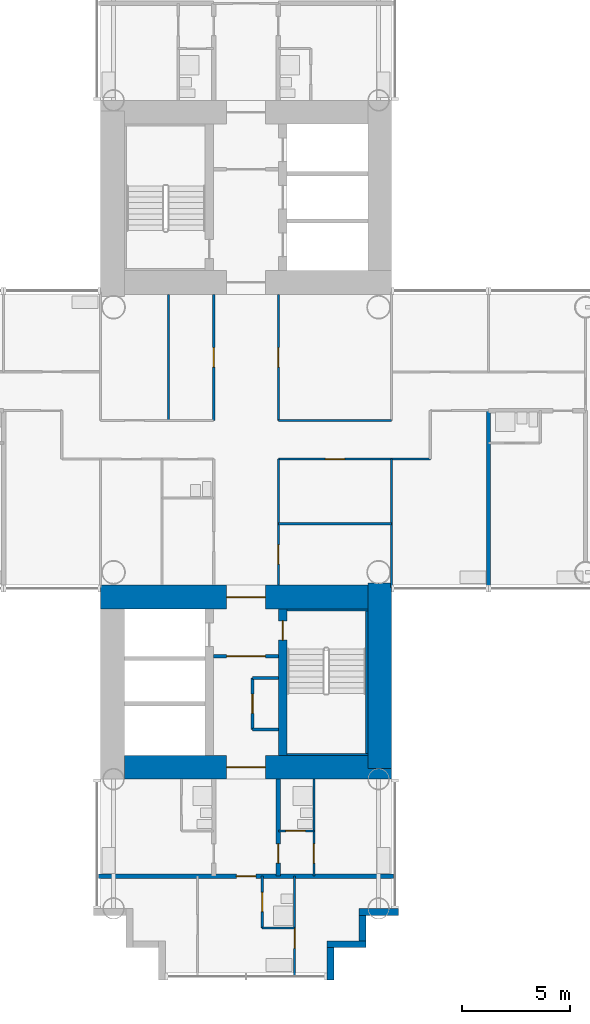
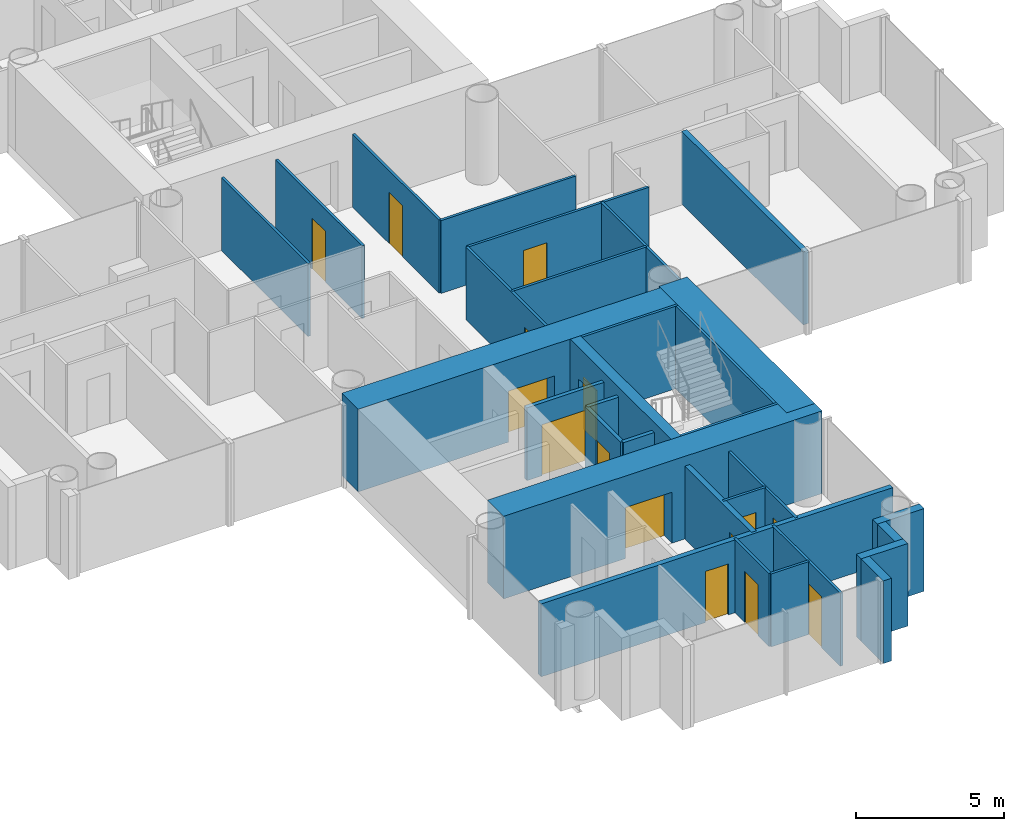
# One storey, part 13 of 21: 31 walls, 15 doors, 15 openings.
"""IFC4 building model written with IfcOpenShell, lengths in metres."""

from ifc_helpers import new_model, si_unit, direction, frame, frame_2d, origin, place, context, subcontext, project, spatial, rectangle, extrude, material, layer, layer_set, type_object, element, fill, save


model = new_model("IFC4")

# Units and contexts
model_context = context("Model", 3, precision=1e-05, world=origin(), true_north=direction((0.0, 1.0)))
body_context = subcontext(model_context, "Body", "Model", "MODEL_VIEW")
ifc_project = project(units=[si_unit("LENGTHUNIT", "METRE"), si_unit("AREAUNIT", "SQUARE_METRE"), si_unit("VOLUMEUNIT", "CUBIC_METRE"), si_unit("PLANEANGLEUNIT", "RADIAN"), si_unit("MASSUNIT", "GRAM", prefix="KILO")], contexts=[model_context])

# Site, building, storey
site_placement = place(None, origin())
site = spatial("IfcSite", under=ifc_project, at=site_placement, CompositionType="ELEMENT")
building_placement = place(site_placement, origin())
building = spatial("IfcBuilding", under=site, at=building_placement, Name="Ipe Terrace Towers", CompositionType="ELEMENT")
storey_placement = place(building_placement, frame((0.0, 0.0, 48.300048828125)))
storey = spatial("IfcBuildingStorey", under=building, at=storey_placement, Name="L12", CompositionType="ELEMENT", Elevation=48.300048828125)

# Walls
ifc_material_1 = material(Name="Concrete C40/50 with buff precast cladding", Category="concrete")
ifc_layer_1 = layer(ifc_material_1, 0.320068359375)
ifc_layer_set_1 = layer_set([ifc_layer_1], Name="BUFF CLADDING WALL 320")
wall_type_1 = type_object("IfcWallType", Name="BUFF CLADDING WALL 320", PredefinedType="STANDARD", material=ifc_layer_set_1)
wall_1_placement = place(storey_placement, frame((39.909912109375, -25.070068359375, -0.300048828125), z_axis=(0.0, 0.0, 1.0), x_axis=(0.0, 1.0, 0.0)))
element("IfcWall", 1, at=wall_1_placement, inside=storey, type_object=wall_type_1, Name="T2-W-L12-00a wall", PredefinedType="STANDARD", context=body_context, shape_type="SweptSolid", body=[
    extrude(rectangle(XDim=1.5, YDim=0.320068359375, at=frame_2d((0.75, 0.0))), origin(), (0.0, 0.0, 1.0), 3.39990234375),
])
wall_2_placement = place(storey_placement, frame((39.75, -23.409912109375, -0.300048828125), z_axis=(0.0, 0.0, 1.0), x_axis=(1.0, 0.0, 0.0)))
element("IfcWall", 2, at=wall_2_placement, inside=storey, type_object=wall_type_1, Name="T2-W-L12-01a wall", PredefinedType="STANDARD", context=body_context, shape_type="SweptSolid", body=[
    extrude(rectangle(XDim=1.820068359375, YDim=0.320068359375, at=frame_2d((0.91015625, 0.0))), origin(), (0.0, 0.0, 1.0), 3.39990234375),
])
wall_3_placement = place(storey_placement, frame((41.409912109375, -23.25, -0.300048828125), z_axis=(0.0, 0.0, 1.0), x_axis=(0.0, 1.0, 0.0)))
element("IfcWall", 3, at=wall_3_placement, inside=storey, type_object=wall_type_1, Name="T2-W-L12-02a wall", PredefinedType="STANDARD", context=body_context, shape_type="SweptSolid", body=[
    extrude(rectangle(XDim=1.179931640625, YDim=0.320068359375, at=frame_2d((0.58984375, 0.0))), origin(), (0.0, 0.0, 1.0), 3.39990234375),
])
wall_4_placement = place(storey_placement, frame((41.25, -21.909912109375, -0.300048828125), z_axis=(0.0, 0.0, 1.0), x_axis=(1.0, 0.0, 0.0)))
element("IfcWall", 4, at=wall_4_placement, inside=storey, type_object=wall_type_1, Name="T2-W-L12-03a wall", PredefinedType="STANDARD", context=body_context, shape_type="SweptSolid", body=[
    extrude(rectangle(XDim=1.820068359375, YDim=0.320068359375, at=frame_2d((0.91015625, 0.0))), origin(), (0.0, 0.0, 1.0), 3.39990234375),
])
ifc_material_2 = material(Name="Gypsum board partition", Category="plasterboard")
ifc_layer_2 = layer(ifc_material_2, 0.10009765625)
ifc_layer_set_2 = layer_set([ifc_layer_2], Name="Gypsum board partition 100 mm")
wall_type_2 = type_object("IfcWallType", Name="Gypsum board partition 100 mm", PredefinedType="PARTITIONING", material=ifc_layer_set_2)
wall_5_placement = place(storey_placement, frame((38.25, -22.64990234375, 0.0), z_axis=(0.0, 0.0, 1.0), x_axis=(-1.0, 0.0, 0.0)))
element("IfcWall", 5, at=wall_5_placement, inside=storey, type_object=wall_type_2, Name="Gypsum board partition T2 L12 W01", PredefinedType="PARTITIONING", context=body_context, shape_type="SweptSolid", body=[
    extrude(rectangle(XDim=1.5, YDim=0.10009765625, at=frame_2d((0.75, 0.0))), origin(), (0.0, 0.0, 1.0), 3.0),
])

# Wall, opening, door
wall_6_placement = place(storey_placement, frame((39.14990234375, -18.14990234375, 0.0), z_axis=(0.0, 0.0, 1.0), x_axis=(-1.0, 0.0, 0.0)))
wall_6 = element("IfcWall", 6, at=wall_6_placement, inside=storey, type_object=wall_type_2, Name="Gypsum board partition T2 L12 W03", PredefinedType="PARTITIONING", context=body_context, shape_type="SweptSolid", body=[
    extrude(rectangle(XDim=1.64990234375, YDim=0.10009765625, at=frame_2d((0.824951171875, 0.0))), origin(), (0.0, 0.0, 1.0), 3.0),
])
opening_1_placement = place(wall_6_placement, frame((0.39990234375, 0.0, 0.0)))
opening_1 = element("IfcOpeningElement", 7, at=opening_1_placement, cuts=wall_6, Name="Opening T2-Z1C-29", PredefinedType="OPENING", context=body_context, shape_type="SweptSolid", body=[
    extrude(rectangle(XDim=0.89990234375, YDim=2.10009765625, at=frame_2d((0.449951171875, 1.050048828125))), frame((0.0, 0.06005859375, 0.0), z_axis=(0.0, -1.0, 0.0), x_axis=(1.0, 0.0, 0.0)), (0.0, 0.0, 1.0), 0.1201171875),
])
ifc_material_3 = material(Name="Timber door leaf", Category="wood")
door_type_1 = type_object("IfcDoorType", Name="Bathroom door 900 x 2100", OperationType="NOTDEFINED", PredefinedType="DOOR", material=ifc_material_3)
door_1_placement = place(opening_1_placement, origin())
door_1 = element("IfcDoor", 8, at=door_1_placement, inside=storey, type_object=door_type_1, Name="Bathroom door T2-Z1C-29", OperationType="SINGLE_SWING_RIGHT", OverallHeight=2.10009765625, OverallWidth=0.89990234375, PredefinedType="DOOR", context=body_context, shape_type="SweptSolid", body=[
    extrude(rectangle(XDim=0.89990234375, YDim=2.10009765625, at=frame_2d((0.449951171875, 1.050048828125))), frame((0.0, 0.02490234375, 0.0), z_axis=(0.0, -1.0, 0.0), x_axis=(1.0, 0.0, 0.0)), (0.0, 0.0, 1.0), 0.050048828125),
])
fill(opening_1, door_1)

# Wall
wall_7_placement = place(storey_placement, frame((42.75, -3.89990234375, 0.0), z_axis=(0.0, 0.0, 1.0), x_axis=(-1.0, 0.0, 0.0)))
element("IfcWall", 9, at=wall_7_placement, inside=storey, type_object=wall_type_2, Name="Gypsum board partition T2 L12 W05", PredefinedType="PARTITIONING", context=body_context, shape_type="SweptSolid", body=[
    extrude(rectangle(XDim=5.25, YDim=0.10009765625, at=frame_2d((2.625, 0.0))), origin(), (0.0, 0.0, 1.0), 3.0),
])

# Wall, opening, door
wall_8_placement = place(storey_placement, frame((44.550048828125, -0.89990234375, 0.0), z_axis=(0.0, 0.0, 1.0), x_axis=(-1.0, 0.0, 0.0)))
wall_8 = element("IfcWall", 10, at=wall_8_placement, inside=storey, type_object=wall_type_2, Name="Gypsum board partition T2 L12 W07", PredefinedType="PARTITIONING", context=body_context, shape_type="SweptSolid", body=[
    extrude(rectangle(XDim=7.050048828125, YDim=0.10009765625, at=frame_2d((3.52490234375, 0.0))), origin(), (0.0, 0.0, 1.0), 3.0),
])
opening_2_placement = place(wall_8_placement, frame((3.97509765625, 0.0, 0.0)))
opening_2 = element("IfcOpeningElement", 11, at=opening_2_placement, cuts=wall_8, Name="Opening T2-Z1C-06", PredefinedType="OPENING", context=body_context, shape_type="SweptSolid", body=[
    extrude(rectangle(XDim=0.89990234375, YDim=2.10009765625, at=frame_2d((0.449951171875, 1.050048828125))), frame((0.0, 0.06005859375, 0.0), z_axis=(0.0, -1.0, 0.0), x_axis=(1.0, 0.0, 0.0)), (0.0, 0.0, 1.0), 0.1201171875),
])
ifc_material_4 = material(Name="Timber door leaf", Category="wood")
door_type_2 = type_object("IfcDoorType", Name="Lounge door 900 x 2100", OperationType="NOTDEFINED", PredefinedType="DOOR", material=ifc_material_4)
door_2_placement = place(opening_2_placement, origin())
door_2 = element("IfcDoor", 12, at=door_2_placement, inside=storey, type_object=door_type_2, Name="Lounge door T2-Z1C-06", OperationType="SINGLE_SWING_LEFT", OverallHeight=2.10009765625, OverallWidth=0.89990234375, PredefinedType="DOOR", context=body_context, shape_type="SweptSolid", body=[
    extrude(rectangle(XDim=0.89990234375, YDim=2.10009765625, at=frame_2d((0.449951171875, 1.050048828125))), frame((0.0, 0.02490234375, 0.0), z_axis=(0.0, -1.0, 0.0), x_axis=(1.0, 0.0, 0.0)), (0.0, 0.0, 1.0), 0.050048828125),
])
fill(opening_2, door_2)

# Walls
wall_9_placement = place(storey_placement, frame((42.75, 0.89990234375, 0.0), z_axis=(0.0, 0.0, 1.0), x_axis=(-1.0, 0.0, 0.0)))
element("IfcWall", 13, at=wall_9_placement, inside=storey, type_object=wall_type_2, Name="Gypsum board partition T2 L12 W11", PredefinedType="PARTITIONING", context=body_context, shape_type="SweptSolid", body=[
    extrude(rectangle(XDim=5.25, YDim=0.10009765625, at=frame_2d((2.625, 0.0))), origin(), (0.0, 0.0, 1.0), 3.0),
])
wall_10_placement = place(storey_placement, frame((42.75, -6.85009765625, 0.0), z_axis=(0.0, 0.0, 1.0), x_axis=(0.0, 1.0, 0.0)))
element("IfcWall", 14, at=wall_10_placement, inside=storey, type_object=wall_type_2, Name="Gypsum board partition T2 L12 W30", PredefinedType="PARTITIONING", context=body_context, shape_type="SweptSolid", body=[
    extrude(rectangle(XDim=5.9501953125, YDim=0.10009765625, at=frame_2d((2.97509765625, 0.0))), origin(), (0.0, 0.0, 1.0), 3.0),
])

# Wall, opening, door
wall_11_placement = place(storey_placement, frame((39.14990234375, -20.25, 0.0), z_axis=(0.0, 0.0, 1.0), x_axis=(0.0, 1.0, 0.0)))
wall_11 = element("IfcWall", 15, at=wall_11_placement, inside=storey, type_object=wall_type_2, Name="Gypsum board partition T2 L12 W32", PredefinedType="PARTITIONING", context=body_context, shape_type="SweptSolid", body=[
    extrude(rectangle(XDim=4.5, YDim=0.10009765625, at=frame_2d((2.25, 0.0))), origin(), (0.0, 0.0, 1.0), 3.0),
])
opening_3_placement = place(wall_11_placement, frame((0.60009765625, 0.0, 0.0)))
opening_3 = element("IfcOpeningElement", 16, at=opening_3_placement, cuts=wall_11, Name="Opening T2-Z1C-28", PredefinedType="OPENING", context=body_context, shape_type="SweptSolid", body=[
    extrude(rectangle(XDim=0.89990234375, YDim=2.10009765625, at=frame_2d((0.449951171875, 1.050048828125))), frame((0.0, 0.06005859375, 0.0), z_axis=(0.0, -1.0, 0.0), x_axis=(1.0, 0.0, 0.0)), (0.0, 0.0, 1.0), 0.1201171875),
])
ifc_material_5 = material(Name="Timber door leaf", Category="wood")
door_type_3 = type_object("IfcDoorType", Name="Bedroom door 900 x 2100", OperationType="NOTDEFINED", PredefinedType="DOOR", material=ifc_material_5)
door_3_placement = place(opening_3_placement, origin())
door_3 = element("IfcDoor", 17, at=door_3_placement, inside=storey, type_object=door_type_3, Name="Bedroom door T2-Z1C-28", OperationType="SINGLE_SWING_LEFT", OverallHeight=2.10009765625, OverallWidth=0.89990234375, PredefinedType="DOOR", context=body_context, shape_type="SweptSolid", body=[
    extrude(rectangle(XDim=0.89990234375, YDim=2.10009765625, at=frame_2d((0.449951171875, 1.050048828125))), frame((0.0, 0.02490234375, 0.0), z_axis=(0.0, -1.0, 0.0), x_axis=(1.0, 0.0, 0.0)), (0.0, 0.0, 1.0), 0.050048828125),
])
fill(opening_3, door_3)

wall_12_placement = place(storey_placement, frame((38.25, -24.85009765625, 0.0), z_axis=(0.0, 0.0, 1.0), x_axis=(0.0, 1.0, 0.0)))
wall_12 = element("IfcWall", 18, at=wall_12_placement, inside=storey, type_object=wall_type_2, Name="Gypsum board partition T2 L12 W34", PredefinedType="PARTITIONING", context=body_context, shape_type="SweptSolid", body=[
    extrude(rectangle(XDim=4.60009765625, YDim=0.10009765625, at=frame_2d((2.300048828125, 0.0))), origin(), (0.0, 0.0, 1.0), 3.0),
])
opening_4_placement = place(wall_12_placement, frame((1.25, 0.0, 0.0)))
opening_4 = element("IfcOpeningElement", 19, at=opening_4_placement, cuts=wall_12, Name="Opening T2-Z1C-34", PredefinedType="OPENING", context=body_context, shape_type="SweptSolid", body=[
    extrude(rectangle(XDim=0.89990234375, YDim=2.10009765625, at=frame_2d((0.449951171875, 1.050048828125))), frame((0.0, 0.06005859375, 0.0), z_axis=(0.0, -1.0, 0.0), x_axis=(1.0, 0.0, 0.0)), (0.0, 0.0, 1.0), 0.1201171875),
])
door_4_placement = place(opening_4_placement, origin())
door_4 = element("IfcDoor", 20, at=door_4_placement, inside=storey, type_object=door_type_2, Name="Lounge door T2-Z1C-34", OperationType="SINGLE_SWING_LEFT", OverallHeight=2.10009765625, OverallWidth=0.89990234375, PredefinedType="DOOR", context=body_context, shape_type="SweptSolid", body=[
    extrude(rectangle(XDim=0.89990234375, YDim=2.10009765625, at=frame_2d((0.449951171875, 1.050048828125))), frame((0.0, 0.02490234375, 0.0), z_axis=(0.0, -1.0, 0.0), x_axis=(1.0, 0.0, 0.0)), (0.0, 0.0, 1.0), 0.050048828125),
])
fill(opening_4, door_4)

wall_13_placement = place(storey_placement, frame((37.5, -6.75, 0.0), z_axis=(0.0, 0.0, 1.0), x_axis=(0.0, 1.0, 0.0)))
wall_13 = element("IfcWall", 21, at=wall_13_placement, inside=storey, type_object=wall_type_2, Name="Gypsum board partition T2 L12 W35", PredefinedType="PARTITIONING", context=body_context, shape_type="SweptSolid", body=[
    extrude(rectangle(XDim=5.85009765625, YDim=0.10009765625, at=frame_2d((2.925048828125, 0.0))), origin(), (0.0, 0.0, 1.0), 3.0),
])
opening_5_placement = place(wall_13_placement, frame((0.97509765625, 0.0, 0.0)))
opening_5 = element("IfcOpeningElement", 22, at=opening_5_placement, cuts=wall_13, Name="Opening T2-Z1C-07", PredefinedType="OPENING", context=body_context, shape_type="SweptSolid", body=[
    extrude(rectangle(XDim=0.89990234375, YDim=2.10009765625, at=frame_2d((0.449951171875, 1.050048828125))), frame((0.0, 0.06005859375, 0.0), z_axis=(0.0, -1.0, 0.0), x_axis=(1.0, 0.0, 0.0)), (0.0, 0.0, 1.0), 0.1201171875),
])
door_5_placement = place(opening_5_placement, origin())
door_5 = element("IfcDoor", 23, at=door_5_placement, inside=storey, type_object=door_type_2, Name="Lounge door T2-Z1C-07", OperationType="SINGLE_SWING_LEFT", OverallHeight=2.10009765625, OverallWidth=0.89990234375, PredefinedType="DOOR", context=body_context, shape_type="SweptSolid", body=[
    extrude(rectangle(XDim=0.89990234375, YDim=2.10009765625, at=frame_2d((0.449951171875, 1.050048828125))), frame((0.0, 0.02490234375, 0.0), z_axis=(0.0, -1.0, 0.0), x_axis=(1.0, 0.0, 0.0)), (0.0, 0.0, 1.0), 0.050048828125),
])
fill(opening_5, door_5)

wall_14_placement = place(storey_placement, frame((37.5, 0.89990234375, 0.0), z_axis=(0.0, 0.0, 1.0), x_axis=(0.0, 1.0, 0.0)))
wall_14 = element("IfcWall", 24, at=wall_14_placement, inside=storey, type_object=wall_type_2, Name="Gypsum board partition T2 L12 W36", PredefinedType="PARTITIONING", context=body_context, shape_type="SweptSolid", body=[
    extrude(rectangle(XDim=5.85009765625, YDim=0.10009765625, at=frame_2d((2.925048828125, 0.0))), origin(), (0.0, 0.0, 1.0), 3.0),
])
opening_6_placement = place(wall_14_placement, frame((2.47509765625, 0.0, 0.0)))
opening_6 = element("IfcOpeningElement", 25, at=opening_6_placement, cuts=wall_14, Name="Opening T2-Z1C-08", PredefinedType="OPENING", context=body_context, shape_type="SweptSolid", body=[
    extrude(rectangle(XDim=0.89990234375, YDim=2.10009765625, at=frame_2d((0.449951171875, 1.050048828125))), frame((0.0, 0.06005859375, 0.0), z_axis=(0.0, -1.0, 0.0), x_axis=(1.0, 0.0, 0.0)), (0.0, 0.0, 1.0), 0.1201171875),
])
door_6_placement = place(opening_6_placement, origin())
door_6 = element("IfcDoor", 26, at=door_6_placement, inside=storey, type_object=door_type_2, Name="Lounge door T2-Z1C-08", OperationType="SINGLE_SWING_RIGHT", OverallHeight=2.10009765625, OverallWidth=0.89990234375, PredefinedType="DOOR", context=body_context, shape_type="SweptSolid", body=[
    extrude(rectangle(XDim=0.89990234375, YDim=2.10009765625, at=frame_2d((0.449951171875, 1.050048828125))), frame((0.0, 0.02490234375, 0.0), z_axis=(0.0, -1.0, 0.0), x_axis=(1.0, 0.0, 0.0)), (0.0, 0.0, 1.0), 0.050048828125),
])
fill(opening_6, door_6)

wall_15_placement = place(storey_placement, frame((36.75, -22.64990234375, 0.0), z_axis=(0.0, 0.0, 1.0), x_axis=(0.0, 1.0, 0.0)))
wall_15 = element("IfcWall", 27, at=wall_15_placement, inside=storey, type_object=wall_type_2, Name="Gypsum board partition T2 L12 W39", PredefinedType="PARTITIONING", context=body_context, shape_type="SweptSolid", body=[
    extrude(rectangle(XDim=2.39990234375, YDim=0.10009765625, at=frame_2d((1.199951171875, 0.0))), origin(), (0.0, 0.0, 1.0), 3.0),
])
opening_7_placement = place(wall_15_placement, frame((0.75, 0.0, 0.0)))
opening_7 = element("IfcOpeningElement", 28, at=opening_7_placement, cuts=wall_15, Name="Opening T2-Z1C-32", PredefinedType="OPENING", context=body_context, shape_type="SweptSolid", body=[
    extrude(rectangle(XDim=0.89990234375, YDim=2.10009765625, at=frame_2d((0.449951171875, 1.050048828125))), frame((0.0, 0.06005859375, 0.0), z_axis=(0.0, -1.0, 0.0), x_axis=(1.0, 0.0, 0.0)), (0.0, 0.0, 1.0), 0.1201171875),
])
door_7_placement = place(opening_7_placement, origin())
door_7 = element("IfcDoor", 29, at=door_7_placement, inside=storey, type_object=door_type_1, Name="Bathroom door T2-Z1C-32", OperationType="SINGLE_SWING_RIGHT", OverallHeight=2.10009765625, OverallWidth=0.89990234375, PredefinedType="DOOR", context=body_context, shape_type="SweptSolid", body=[
    extrude(rectangle(XDim=0.89990234375, YDim=2.10009765625, at=frame_2d((0.449951171875, 1.050048828125))), frame((0.0, 0.02490234375, 0.0), z_axis=(0.0, -1.0, 0.0), x_axis=(1.0, 0.0, 0.0)), (0.0, 0.0, 1.0), 0.050048828125),
])
fill(opening_7, door_7)

wall_16_placement = place(storey_placement, frame((34.5, 0.89990234375, 0.0), z_axis=(0.0, 0.0, 1.0), x_axis=(0.0, 1.0, 0.0)))
wall_16 = element("IfcWall", 30, at=wall_16_placement, inside=storey, type_object=wall_type_2, Name="Gypsum board partition T2 L12 W41", PredefinedType="PARTITIONING", context=body_context, shape_type="SweptSolid", body=[
    extrude(rectangle(XDim=5.85009765625, YDim=0.10009765625, at=frame_2d((2.925048828125, 0.0))), origin(), (0.0, 0.0, 1.0), 3.0),
])
opening_8_placement = place(wall_16_placement, frame((2.47509765625, 0.0, 0.0)))
opening_8 = element("IfcOpeningElement", 31, at=opening_8_placement, cuts=wall_16, Name="Opening T2-Z1C-02", PredefinedType="OPENING", context=body_context, shape_type="SweptSolid", body=[
    extrude(rectangle(XDim=0.89990234375, YDim=2.10009765625, at=frame_2d((0.449951171875, 1.050048828125))), frame((0.0, 0.06005859375, 0.0), z_axis=(0.0, -1.0, 0.0), x_axis=(1.0, 0.0, 0.0)), (0.0, 0.0, 1.0), 0.1201171875),
])
door_8_placement = place(opening_8_placement, origin())
door_8 = element("IfcDoor", 32, at=door_8_placement, inside=storey, type_object=door_type_2, Name="Lounge door T2-Z1C-02", OperationType="SINGLE_SWING_LEFT", OverallHeight=2.10009765625, OverallWidth=0.89990234375, PredefinedType="DOOR", context=body_context, shape_type="SweptSolid", body=[
    extrude(rectangle(XDim=0.89990234375, YDim=2.10009765625, at=frame_2d((0.449951171875, 1.050048828125))), frame((0.0, 0.02490234375, 0.0), z_axis=(0.0, -1.0, 0.0), x_axis=(1.0, 0.0, 0.0)), (0.0, 0.0, 1.0), 0.050048828125),
])
fill(opening_8, door_8)

# Wall
wall_17_placement = place(storey_placement, frame((32.39990234375, 0.89990234375, 0.0), z_axis=(0.0, 0.0, 1.0), x_axis=(0.0, 1.0, 0.0)))
element("IfcWall", 33, at=wall_17_placement, inside=storey, type_object=wall_type_2, Name="Gypsum board partition T2 L12 W47", PredefinedType="PARTITIONING", context=body_context, shape_type="SweptSolid", body=[
    extrude(rectangle(XDim=5.85009765625, YDim=0.10009765625, at=frame_2d((2.925048828125, 0.0))), origin(), (0.0, 0.0, 1.0), 3.0),
])

# Wall, opening, door
ifc_material_6 = material(Name="Gypsum board partition", Category="plasterboard")
ifc_layer_3 = layer(ifc_material_6, 0.14990234375)
ifc_layer_set_3 = layer_set([ifc_layer_3], Name="Gypsum board partition 150 mm")
wall_type_3 = type_object("IfcWallType", Name="Gypsum board partition 150 mm", PredefinedType="PARTITIONING", material=ifc_layer_set_3)
wall_18_placement = place(storey_placement, frame((34.5, -10.050048828125, 0.0), z_axis=(0.0, 0.0, 1.0), x_axis=(1.0, 0.0, 0.0)))
wall_18 = element("IfcWall", 34, at=wall_18_placement, inside=storey, type_object=wall_type_3, Name="Gypsum board partition T2 L12 t2c2-lobby-wall", PredefinedType="PARTITIONING", context=body_context, shape_type="SweptSolid", body=[
    extrude(rectangle(XDim=3.0, YDim=0.14990234375, at=frame_2d((1.5, 0.0))), origin(), (0.0, 0.0, 1.0), 3.0),
])
opening_9_placement = place(wall_18_placement, frame((0.60009765625, 0.0, 0.0)))
opening_9 = element("IfcOpeningElement", 35, at=opening_9_placement, cuts=wall_18, Name="Opening T2C2-VD", PredefinedType="OPENING", context=body_context, shape_type="SweptSolid", body=[
    extrude(rectangle(XDim=1.800048828125, YDim=2.10009765625, at=frame_2d((0.89990234375, 1.050048828125))), frame((0.0, 0.0849609375, 0.0), z_axis=(0.0, -1.0, 0.0), x_axis=(1.0, 0.0, 0.0)), (0.0, 0.0, 1.0), 0.169921875),
])
ifc_material_7 = material(Name="Fire-rated timber door leaf", Category="wood")
door_type_4 = type_object("IfcDoorType", Name="Lobby door 1800 x 2100 FD60", OperationType="NOTDEFINED", PredefinedType="DOOR", material=ifc_material_7)
door_9_placement = place(opening_9_placement, origin())
door_9 = element("IfcDoor", 36, at=door_9_placement, inside=storey, type_object=door_type_4, Name="Lobby door T2C2-VD", OperationType="SINGLE_SWING_LEFT", OverallHeight=2.10009765625, OverallWidth=1.800048828125, PredefinedType="DOOR", context=body_context, shape_type="SweptSolid", body=[
    extrude(rectangle(XDim=1.800048828125, YDim=2.10009765625, at=frame_2d((0.89990234375, 1.050048828125))), frame((0.0, 0.02490234375, 0.0), z_axis=(0.0, -1.0, 0.0), x_axis=(1.0, 0.0, 0.0)), (0.0, 0.0, 1.0), 0.050048828125),
])
fill(opening_9, door_9)

wall_19_placement = place(storey_placement, frame((36.300048828125, -11.050048828125, 0.0), z_axis=(0.0, 0.0, 1.0), x_axis=(0.0, -1.0, 0.0)))
wall_19 = element("IfcWall", 37, at=wall_19_placement, inside=storey, type_object=wall_type_3, Name="Gypsum board partition T2 L12 t2c2-cup-n-f", PredefinedType="PARTITIONING", context=body_context, shape_type="SweptSolid", body=[
    extrude(rectangle(XDim=2.39990234375, YDim=0.14990234375, at=frame_2d((1.199951171875, 0.0))), origin(), (0.0, 0.0, 1.0), 3.0),
])
opening_10_placement = place(wall_19_placement, frame((0.75, 0.0, 0.0)))
opening_10 = element("IfcOpeningElement", 38, at=opening_10_placement, cuts=wall_19, Name="Opening T2C2-SR", PredefinedType="OPENING", context=body_context, shape_type="SweptSolid", body=[
    extrude(rectangle(XDim=0.89990234375, YDim=2.10009765625, at=frame_2d((0.449951171875, 1.050048828125))), frame((0.0, 0.0849609375, 0.0), z_axis=(0.0, -1.0, 0.0), x_axis=(1.0, 0.0, 0.0)), (0.0, 0.0, 1.0), 0.169921875),
])
ifc_material_8 = material(Name="Fire-rated timber door leaf", Category="wood")
door_type_5 = type_object("IfcDoorType", Name="Service door 900 x 2100 FD60", OperationType="NOTDEFINED", PredefinedType="DOOR", material=ifc_material_8)
door_10_placement = place(opening_10_placement, origin())
door_10 = element("IfcDoor", 39, at=door_10_placement, inside=storey, type_object=door_type_5, Name="Service door T2C2-SR", OperationType="SINGLE_SWING_LEFT", OverallHeight=2.10009765625, OverallWidth=0.89990234375, PredefinedType="DOOR", context=body_context, shape_type="SweptSolid", body=[
    extrude(rectangle(XDim=0.89990234375, YDim=2.10009765625, at=frame_2d((0.449951171875, 1.050048828125))), frame((0.0, 0.02490234375, 0.0), z_axis=(0.0, -1.0, 0.0), x_axis=(1.0, 0.0, 0.0)), (0.0, 0.0, 1.0), 0.050048828125),
])
fill(opening_10, door_10)

# Walls
for number, where, z_axis, x_axis, name in (
    (40, (36.300048828125, -11.050048828125, 0.0), (0.0, 0.0, 1.0), (1.0, 0.0, 0.0), "Gypsum board partition T2 L12 t2c2-cup-n-a"),
    (41, (36.300048828125, -13.449951171875, 0.0), (0.0, 0.0, 1.0), (1.0, 0.0, 0.0), "Gypsum board partition T2 L12 t2c2-cup-n-b"),
):
    element("IfcWall", number, at=place(storey_placement, frame(where, z_axis=z_axis, x_axis=x_axis)), inside=storey, type_object=wall_type_3, Name=name, PredefinedType="PARTITIONING", context=body_context, shape_type="SweptSolid", body=[
        extrude(rectangle(XDim=1.199951171875, YDim=0.14990234375, at=frame_2d((0.60009765625, 0.0))), origin(), (0.0, 0.0, 1.0), 3.0),
    ])

# Wall, opening, door
ifc_material_9 = material(Name="Gypsum board party wall", Category="plasterboard")
ifc_layer_4 = layer(ifc_material_9, 0.199951171875)
ifc_layer_set_4 = layer_set([ifc_layer_4], Name="Gypsum board party wall 200 mm")
wall_type_4 = type_object("IfcWallType", Name="Gypsum board party wall 200 mm", PredefinedType="SOLIDWALL", material=ifc_layer_set_4)
wall_20_placement = place(storey_placement, frame((42.85009765625, -20.25, 0.0), z_axis=(0.0, 0.0, 1.0), x_axis=(-1.0, 0.0, 0.0)))
wall_20 = element("IfcWall", 42, at=wall_20_placement, inside=storey, type_object=wall_type_4, Name="Gypsum board party wall T2 L12 W02", PredefinedType="SOLIDWALL", context=body_context, shape_type="SweptSolid", body=[
    extrude(rectangle(XDim=13.7001953125, YDim=0.199951171875, at=frame_2d((6.85009765625, 0.0))), origin(), (0.0, 0.0, 1.0), 3.0),
])
opening_11_placement = place(wall_20_placement, frame((6.39990234375, 0.0, 0.0)))
opening_11 = element("IfcOpeningElement", 43, at=opening_11_placement, cuts=wall_20, Name="Opening T2-Z1C-33", PredefinedType="OPENING", context=body_context, shape_type="SweptSolid", body=[
    extrude(rectangle(XDim=0.89990234375, YDim=2.10009765625, at=frame_2d((0.449951171875, 1.050048828125))), frame((0.0, 0.10986328125, 0.0), z_axis=(0.0, -1.0, 0.0), x_axis=(1.0, 0.0, 0.0)), (0.0, 0.0, 1.0), 0.219970703125),
])
ifc_material_10 = material(Name="Fire-rated timber door leaf", Category="wood")
door_type_6 = type_object("IfcDoorType", Name="Flat entrance door 900 x 2100 FD30S", OperationType="NOTDEFINED", PredefinedType="DOOR", material=ifc_material_10)
door_11_placement = place(opening_11_placement, origin())
door_11 = element("IfcDoor", 44, at=door_11_placement, inside=storey, type_object=door_type_6, Name="Flat entrance door T2-Z1C-33", OperationType="SINGLE_SWING_LEFT", OverallHeight=2.10009765625, OverallWidth=0.89990234375, PredefinedType="DOOR", context=body_context, shape_type="SweptSolid", body=[
    extrude(rectangle(XDim=0.89990234375, YDim=2.10009765625, at=frame_2d((0.449951171875, 1.050048828125))), frame((0.0, 0.02490234375, 0.0), z_axis=(0.0, -1.0, 0.0), x_axis=(1.0, 0.0, 0.0)), (0.0, 0.0, 1.0), 0.050048828125),
])
fill(opening_11, door_11)

# Wall
wall_21_placement = place(storey_placement, frame((47.25, -6.85009765625, 0.0), z_axis=(0.0, 0.0, 1.0), x_axis=(0.0, 1.0, 0.0)))
element("IfcWall", 45, at=wall_21_placement, inside=storey, type_object=wall_type_4, Name="Gypsum board party wall T2 L12 W28", PredefinedType="SOLIDWALL", context=body_context, shape_type="SweptSolid", body=[
    extrude(rectangle(XDim=8.2001953125, YDim=0.199951171875, at=frame_2d((4.10009765625, 0.0))), origin(), (0.0, 0.0, 1.0), 3.0),
])

# Wall, opening, door
wall_22_placement = place(storey_placement, frame((37.5, -20.25, 0.0), z_axis=(0.0, 0.0, 1.0), x_axis=(0.0, 1.0, 0.0)))
wall_22 = element("IfcWall", 46, at=wall_22_placement, inside=storey, type_object=wall_type_4, Name="Gypsum board party wall T2 L12 W37", PredefinedType="SOLIDWALL", context=body_context, shape_type="SweptSolid", body=[
    extrude(rectangle(XDim=4.5, YDim=0.199951171875, at=frame_2d((2.25, 0.0))), origin(), (0.0, 0.0, 1.0), 3.0),
])
opening_12_placement = place(wall_22_placement, frame((0.60009765625, 0.0, 0.0)))
opening_12 = element("IfcOpeningElement", 47, at=opening_12_placement, cuts=wall_22, Name="Opening T2-Z1C-27", PredefinedType="OPENING", context=body_context, shape_type="SweptSolid", body=[
    extrude(rectangle(XDim=0.89990234375, YDim=2.10009765625, at=frame_2d((0.449951171875, 1.050048828125))), frame((0.0, 0.10986328125, 0.0), z_axis=(0.0, -1.0, 0.0), x_axis=(1.0, 0.0, 0.0)), (0.0, 0.0, 1.0), 0.219970703125),
])
door_12_placement = place(opening_12_placement, origin())
door_12 = element("IfcDoor", 48, at=door_12_placement, inside=storey, type_object=door_type_6, Name="Flat entrance door T2-Z1C-27", OperationType="SINGLE_SWING_LEFT", OverallHeight=2.10009765625, OverallWidth=0.89990234375, PredefinedType="DOOR", context=body_context, shape_type="SweptSolid", body=[
    extrude(rectangle(XDim=0.89990234375, YDim=2.10009765625, at=frame_2d((0.449951171875, 1.050048828125))), frame((0.0, 0.02490234375, 0.0), z_axis=(0.0, -1.0, 0.0), x_axis=(1.0, 0.0, 0.0)), (0.0, 0.0, 1.0), 0.050048828125),
])
fill(opening_12, door_12)

# Walls
ifc_material_11 = material(Name="Concrete C60/75", Category="concrete")
ifc_layer_5 = layer(ifc_material_11, 0.10009765625)
ifc_layer_set_5 = layer_set([ifc_layer_5], Name="RW100 CORE INFILL WALL 100 C60-75")
wall_type_5 = type_object("IfcWallType", Name="RW100 CORE INFILL WALL 100 C60-75", PredefinedType="SHEAR", material=ifc_layer_set_5)
wall_23_placement = place(storey_placement, frame((37.89990234375, -14.60009765625, 0.0), z_axis=(0.0, 0.0, 1.0), x_axis=(1.0, 0.0, 0.0)))
element("IfcWall", 49, at=wall_23_placement, inside=storey, type_object=wall_type_5, Name="Core infill wall T2-C2-far", PredefinedType="SHEAR", context=body_context, shape_type="SweptSolid", body=[
    extrude(rectangle(XDim=3.75, YDim=0.10009765625, at=frame_2d((1.875, 0.0))), origin(), (0.0, 0.0, 1.0), 3.39990234375),
])
wall_24_placement = place(storey_placement, frame((41.60009765625, -7.949951171875, 0.0), z_axis=(0.0, 0.0, 1.0), x_axis=(0.0, -1.0, 0.0)))
element("IfcWall", 50, at=wall_24_placement, inside=storey, type_object=wall_type_5, Name="Core infill wall T2-C2-back", PredefinedType="SHEAR", context=body_context, shape_type="SweptSolid", body=[
    extrude(rectangle(XDim=6.60009765625, YDim=0.10009765625, at=frame_2d((3.300048828125, 0.0))), origin(), (0.0, 0.0, 1.0), 3.39990234375),
])
wall_25_placement = place(storey_placement, frame((37.89990234375, -7.89990234375, 0.0), z_axis=(0.0, 0.0, 1.0), x_axis=(1.0, 0.0, 0.0)))
element("IfcWall", 51, at=wall_25_placement, inside=storey, type_object=wall_type_5, Name="Core infill wall T2-C2-near", PredefinedType="SHEAR", context=body_context, shape_type="SweptSolid", body=[
    extrude(rectangle(XDim=3.75, YDim=0.10009765625, at=frame_2d((1.875, 0.0))), origin(), (0.0, 0.0, 1.0), 3.39990234375),
])

# Wall, opening, door
ifc_material_12 = material(Name="Concrete C60/75", Category="concrete")
ifc_layer_6 = layer(ifc_material_12, 1.10009765625)
ifc_layer_set_6 = layer_set([ifc_layer_6], Name="RW1100 CORE WALL 1100 C60-75")
wall_type_6 = type_object("IfcWallType", Name="RW1100 CORE WALL 1100 C60-75", PredefinedType="SHEAR", material=ifc_layer_set_6)
wall_26_placement = place(storey_placement, frame((30.35009765625, -15.199951171875, 0.0), z_axis=(0.0, 0.0, 1.0), x_axis=(1.0, 0.0, 0.0)))
wall_26 = element("IfcWall", 52, at=wall_26_placement, inside=storey, type_object=wall_type_6, Name="Core wall T2-C2-Z1-W01", PredefinedType="SHEAR", context=body_context, shape_type="SweptSolid", body=[
    extrude(rectangle(XDim=12.39990234375, YDim=1.10009765625, at=frame_2d((6.199951171875, 0.0))), origin(), (0.0, 0.0, 1.0), 3.39990234375),
])
opening_13_placement = place(wall_26_placement, frame((4.75, 0.0, 0.0)))
opening_13 = element("IfcOpeningElement", 53, at=opening_13_placement, cuts=wall_26, Name="Opening T2C2-FD", PredefinedType="OPENING", context=body_context, shape_type="SweptSolid", body=[
    extrude(rectangle(XDim=1.800048828125, YDim=2.10009765625, at=frame_2d((0.89990234375, 1.050048828125))), frame((0.0, 0.56005859375, 0.0), z_axis=(0.0, -1.0, 0.0), x_axis=(1.0, 0.0, 0.0)), (0.0, 0.0, 1.0), 1.1201171875),
])
ifc_material_13 = material(Name="Fire-rated timber door leaf", Category="wood")
door_type_7 = type_object("IfcDoorType", Name="Fire door 1800 x 2100 FD30S", OperationType="NOTDEFINED", PredefinedType="DOOR", material=ifc_material_13)
door_13_placement = place(opening_13_placement, origin())
door_13 = element("IfcDoor", 54, at=door_13_placement, inside=storey, type_object=door_type_7, Name="Fire door T2C2-FD", OperationType="SINGLE_SWING_LEFT", OverallHeight=2.10009765625, OverallWidth=1.800048828125, PredefinedType="DOOR", context=body_context, shape_type="SweptSolid", body=[
    extrude(rectangle(XDim=1.800048828125, YDim=2.10009765625, at=frame_2d((0.89990234375, 1.050048828125))), frame((0.0, 0.02490234375, 0.0), z_axis=(0.0, -1.0, 0.0), x_axis=(1.0, 0.0, 0.0)), (0.0, 0.0, 1.0), 0.050048828125),
])
fill(opening_13, door_13)

# Wall
wall_27_placement = place(storey_placement, frame((42.199951171875, -15.248046875, 0.0), z_axis=(0.0, 0.0, 1.0), x_axis=(0.0, 1.0, 0.0)))
element("IfcWall", 55, at=wall_27_placement, inside=storey, type_object=wall_type_6, Name="Core wall T2-C2-Z1-W02", PredefinedType="SHEAR", context=body_context, shape_type="SweptSolid", body=[
    extrude(rectangle(XDim=8.595947265625, YDim=1.10009765625, at=frame_2d((4.2978515625, 0.0))), origin(), (0.0, 0.0, 1.0), 3.39990234375),
])

# Wall, opening, door
wall_28_placement = place(storey_placement, frame((41.64990234375, -7.300048828125, 0.0), z_axis=(0.0, 0.0, 1.0), x_axis=(-1.0, 0.0, 0.0)))
wall_28 = element("IfcWall", 56, at=wall_28_placement, inside=storey, type_object=wall_type_6, Name="Core wall T2-C2-Z1-W03", PredefinedType="SHEAR", context=body_context, shape_type="SweptSolid", body=[
    extrude(rectangle(XDim=12.39990234375, YDim=1.10009765625, at=frame_2d((6.199951171875, 0.0))), origin(), (0.0, 0.0, 1.0), 3.39990234375),
])
opening_14_placement = place(wall_28_placement, frame((4.75, 0.0, 0.0)))
opening_14 = element("IfcOpeningElement", 57, at=opening_14_placement, cuts=wall_28, Name="Opening T2C2-ND", PredefinedType="OPENING", context=body_context, shape_type="SweptSolid", body=[
    extrude(rectangle(XDim=1.800048828125, YDim=2.10009765625, at=frame_2d((0.89990234375, 1.050048828125))), frame((0.0, 0.56005859375, 0.0), z_axis=(0.0, -1.0, 0.0), x_axis=(1.0, 0.0, 0.0)), (0.0, 0.0, 1.0), 1.1201171875),
])
door_14_placement = place(opening_14_placement, origin())
door_14 = element("IfcDoor", 58, at=door_14_placement, inside=storey, type_object=door_type_7, Name="Fire door T2C2-ND", OperationType="SINGLE_SWING_LEFT", OverallHeight=2.10009765625, OverallWidth=1.800048828125, PredefinedType="DOOR", context=body_context, shape_type="SweptSolid", body=[
    extrude(rectangle(XDim=1.800048828125, YDim=2.10009765625, at=frame_2d((0.89990234375, 1.050048828125))), frame((0.0, 0.02490234375, 0.0), z_axis=(0.0, -1.0, 0.0), x_axis=(1.0, 0.0, 0.0)), (0.0, 0.0, 1.0), 0.050048828125),
])
fill(opening_14, door_14)

ifc_material_14 = material(Name="Concrete C60/75", Category="concrete")
ifc_layer_7 = layer(ifc_material_14, 0.39990234375)
ifc_layer_set_7 = layer_set([ifc_layer_7], Name="RW400 CORE SPINE WALL 400 C60-75")
wall_type_7 = type_object("IfcWallType", Name="RW400 CORE SPINE WALL 400 C60-75", PredefinedType="SHEAR", material=ifc_layer_set_7)
wall_29_placement = place(storey_placement, frame((37.699951171875, -14.64990234375, 0.0), z_axis=(0.0, 0.0, 1.0), x_axis=(0.0, 1.0, 0.0)))
wall_29 = element("IfcWall", 59, at=wall_29_placement, inside=storey, type_object=wall_type_7, Name="Core spine wall T2-C2-Z1-SW2", PredefinedType="SHEAR", context=body_context, shape_type="SweptSolid", body=[
    extrude(rectangle(XDim=6.7998046875, YDim=0.39990234375, at=frame_2d((3.39990234375, 0.0))), origin(), (0.0, 0.0, 1.0), 3.39990234375),
])
opening_15_placement = place(wall_29_placement, frame((5.35009765625, 0.0, 0.0)))
opening_15 = element("IfcOpeningElement", 60, at=opening_15_placement, cuts=wall_29, Name="Opening T2C2-SD", PredefinedType="OPENING", context=body_context, shape_type="SweptSolid", body=[
    extrude(rectangle(XDim=0.89990234375, YDim=2.10009765625, at=frame_2d((0.449951171875, 1.050048828125))), frame((0.0, 0.2099609375, 0.0), z_axis=(0.0, -1.0, 0.0), x_axis=(1.0, 0.0, 0.0)), (0.0, 0.0, 1.0), 0.419921875),
])
ifc_material_15 = material(Name="Fire-rated timber door leaf", Category="wood")
door_type_8 = type_object("IfcDoorType", Name="Stair door 900 x 2100 FD60", OperationType="NOTDEFINED", PredefinedType="DOOR", material=ifc_material_15)
door_15_placement = place(opening_15_placement, origin())
door_15 = element("IfcDoor", 61, at=door_15_placement, inside=storey, type_object=door_type_8, Name="Stair door T2C2-SD", OperationType="SINGLE_SWING_RIGHT", OverallHeight=2.10009765625, OverallWidth=0.89990234375, PredefinedType="DOOR", context=body_context, shape_type="SweptSolid", body=[
    extrude(rectangle(XDim=0.89990234375, YDim=2.10009765625, at=frame_2d((0.449951171875, 1.050048828125))), frame((0.0, 0.02490234375, 0.0), z_axis=(0.0, -1.0, 0.0), x_axis=(1.0, 0.0, 0.0)), (0.0, 0.0, 1.0), 0.050048828125),
])
fill(opening_15, door_15)

save(model, "model.ifc")
